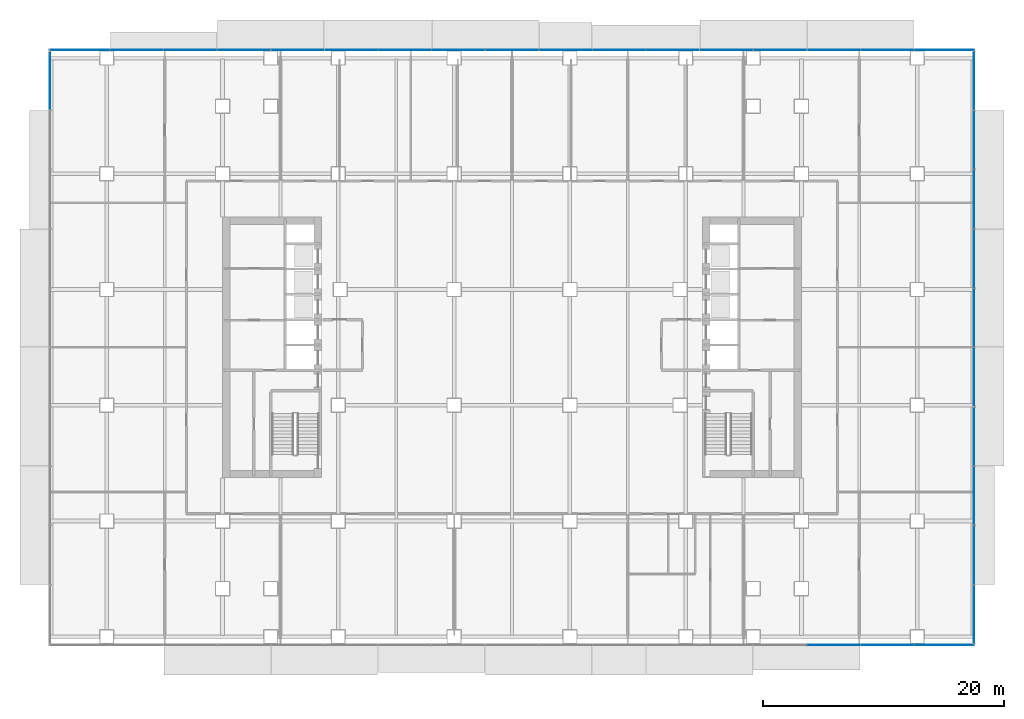
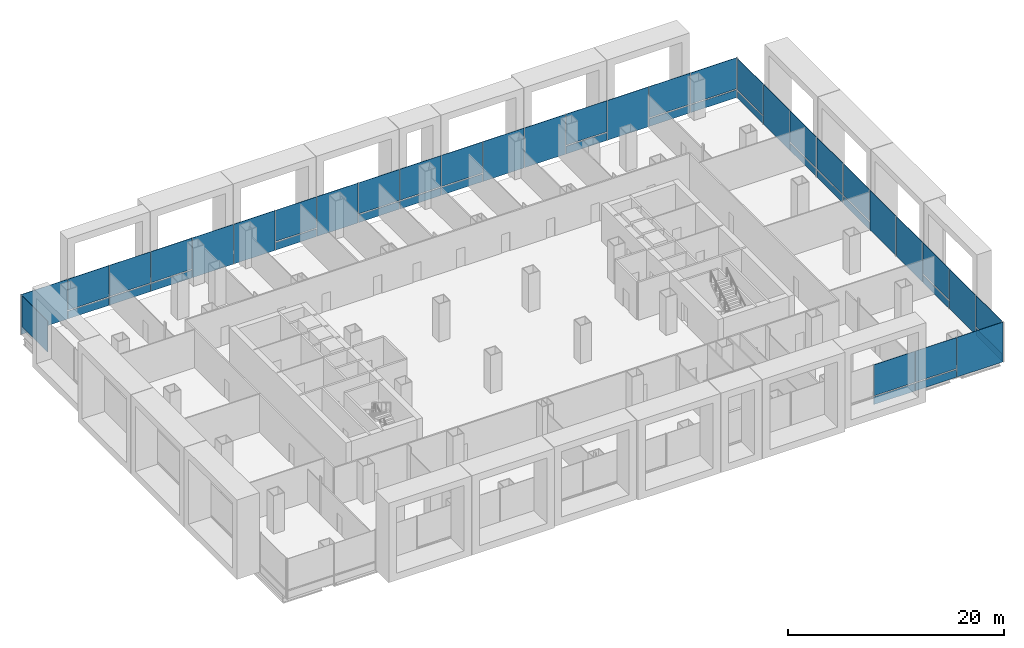
# One storey, part 13 of 23: 49 plates, 4 elements without a shape of their own.
"""IFC4 building model written with IfcOpenShell, lengths in metres."""

from ifc_helpers import new_model, si_unit, direction, frame, origin, origin_2d, place, context, subcontext, project, spatial, rectangle, extrude, material, layer, layer_set, type_object, element, aggregate, save


model = new_model("IFC4")

# Units and contexts
model_context = context("Model", 3, precision=1e-05, world=origin(), true_north=direction((0.0, 1.0)))
body_context = subcontext(model_context, "Body", "Model", "MODEL_VIEW")
ifc_project = project(units=[si_unit("LENGTHUNIT", "METRE"), si_unit("AREAUNIT", "SQUARE_METRE"), si_unit("VOLUMEUNIT", "CUBIC_METRE"), si_unit("PLANEANGLEUNIT", "RADIAN"), si_unit("MASSUNIT", "GRAM", prefix="KILO")], contexts=[model_context])

# Site, building, storey
site_placement = place(None, origin())
site = spatial("IfcSite", under=ifc_project, at=site_placement, CompositionType="ELEMENT")
building_placement = place(site_placement, origin())
building = spatial("IfcBuilding", under=site, at=building_placement, Name="Cobrizo Arcos Hotel Tower", CompositionType="ELEMENT")
storey_placement = place(building_placement, frame((0.0, 0.0, 15.5)))
storey = spatial("IfcBuildingStorey", under=building, at=storey_placement, Name="L02", CompositionType="ELEMENT", Elevation=15.5)

# Curtain wall, plates
ifc_material_1 = material(Name="Aluminium 6063-T6 anodised bronze", Category="aluminium")
curtain_wall_type_1 = type_object("IfcCurtainWallType", Name="CW-A guest facade", PredefinedType="NOTDEFINED", material=ifc_material_1)
curtain_wall_1_placement = place(storey_placement, origin())
curtain_wall_1 = element("IfcCurtainWall", 1, at=curtain_wall_1_placement, inside=storey, type_object=curtain_wall_type_1, Name="CW-A L02 N face", PredefinedType="NOTDEFINED")
ifc_material_2 = material(Name="Glass clear laminated low-e", Category="glass")
ifc_layer_1 = layer(ifc_material_2, 0.0400390625)
ifc_layer_set_1 = layer_set([ifc_layer_1], Name="CW-A glass panel")
plate_type_1 = type_object("IfcPlateType", Name="CW-A glass panel", PredefinedType="CURTAIN_PANEL", material=ifc_layer_set_1)
plate_1_placement = place(storey_placement, frame((35.839111328125, 24.675048828125, 0.990234375), z_axis=(0.0, 0.0, 1.0), x_axis=(-1.0, 0.0, 0.0)))
plate_1 = element("IfcPlate", 2, at=plate_1_placement, type_object=plate_type_1, Name="CW-A glass panel 117", PredefinedType="CURTAIN_PANEL", context=body_context, shape_type="SweptSolid", body=[
    extrude(rectangle(XDim=4.95166015625, YDim=0.0400390625, at=origin_2d()), origin(), (0.0, 0.0, 1.0), 3.510009765625),
])
plate_2_placement = place(storey_placement, frame((31.111083984375, 24.675048828125, 0.990234375), z_axis=(0.0, 0.0, 1.0), x_axis=(-1.0, 0.0, 0.0)))
plate_2 = element("IfcPlate", 3, at=plate_2_placement, type_object=plate_type_1, Name="CW-A glass panel 118", PredefinedType="CURTAIN_PANEL", context=body_context, shape_type="SweptSolid", body=[
    extrude(rectangle(XDim=4.384521484375, YDim=0.0400390625, at=origin_2d()), origin(), (0.0, 0.0, 1.0), 3.510009765625),
])
plate_3_placement = place(storey_placement, frame((22.22216796875, 24.675048828125, 0.990234375), z_axis=(0.0, 0.0, 1.0), x_axis=(-1.0, 0.0, 0.0)))
plate_3 = element("IfcPlate", 4, at=plate_3_placement, type_object=plate_type_1, Name="CW-A glass panel 120", PredefinedType="CURTAIN_PANEL", context=body_context, shape_type="SweptSolid", body=[
    extrude(rectangle(XDim=4.384521484375, YDim=0.0400390625, at=origin_2d()), origin(), (0.0, 0.0, 1.0), 3.510009765625),
])
plate_4_placement = place(storey_placement, frame((8.888916015625, 24.675048828125, 0.990234375), z_axis=(0.0, 0.0, 1.0), x_axis=(-1.0, 0.0, 0.0)))
plate_4 = element("IfcPlate", 5, at=plate_4_placement, type_object=plate_type_1, Name="CW-A glass panel 123", PredefinedType="CURTAIN_PANEL", context=body_context, shape_type="SweptSolid", body=[
    extrude(rectangle(XDim=4.384521484375, YDim=0.0400390625, at=origin_2d()), origin(), (0.0, 0.0, 1.0), 3.510009765625),
])
plate_5_placement = place(storey_placement, frame((4.4443359375, 24.675048828125, 0.990234375), z_axis=(0.0, 0.0, 1.0), x_axis=(-1.0, 0.0, 0.0)))
plate_5 = element("IfcPlate", 6, at=plate_5_placement, type_object=plate_type_1, Name="CW-A glass panel 124", PredefinedType="CURTAIN_PANEL", context=body_context, shape_type="SweptSolid", body=[
    extrude(rectangle(XDim=4.384521484375, YDim=0.0400390625, at=origin_2d()), origin(), (0.0, 0.0, 1.0), 3.510009765625),
])
plate_6_placement = place(storey_placement, frame((0.0, 24.675048828125, 0.990234375), z_axis=(0.0, 0.0, 1.0), x_axis=(-1.0, 0.0, 0.0)))
plate_6 = element("IfcPlate", 7, at=plate_6_placement, type_object=plate_type_1, Name="CW-A glass panel 125", PredefinedType="CURTAIN_PANEL", context=body_context, shape_type="SweptSolid", body=[
    extrude(rectangle(XDim=4.384521484375, YDim=0.0400390625, at=origin_2d()), origin(), (0.0, 0.0, 1.0), 3.510009765625),
])
plate_7_placement = place(storey_placement, frame((-8.888916015625, 24.675048828125, 0.990234375), z_axis=(0.0, 0.0, 1.0), x_axis=(-1.0, 0.0, 0.0)))
plate_7 = element("IfcPlate", 8, at=plate_7_placement, type_object=plate_type_1, Name="CW-A glass panel 127", PredefinedType="CURTAIN_PANEL", context=body_context, shape_type="SweptSolid", body=[
    extrude(rectangle(XDim=4.384521484375, YDim=0.0400390625, at=origin_2d()), origin(), (0.0, 0.0, 1.0), 3.510009765625),
])
plate_8_placement = place(storey_placement, frame((-22.22216796875, 24.675048828125, 0.990234375), z_axis=(0.0, 0.0, 1.0), x_axis=(-1.0, 0.0, 0.0)))
plate_8 = element("IfcPlate", 9, at=plate_8_placement, type_object=plate_type_1, Name="CW-A glass panel 130", PredefinedType="CURTAIN_PANEL", context=body_context, shape_type="SweptSolid", body=[
    extrude(rectangle(XDim=4.384521484375, YDim=0.0400390625, at=origin_2d()), origin(), (0.0, 0.0, 1.0), 3.510009765625),
])
plate_9_placement = place(storey_placement, frame((-26.666748046875, 24.675048828125, 0.990234375), z_axis=(0.0, 0.0, 1.0), x_axis=(-1.0, 0.0, 0.0)))
plate_9 = element("IfcPlate", 10, at=plate_9_placement, type_object=plate_type_1, Name="CW-A glass panel 131", PredefinedType="CURTAIN_PANEL", context=body_context, shape_type="SweptSolid", body=[
    extrude(rectangle(XDim=4.384521484375, YDim=0.0400390625, at=origin_2d()), origin(), (0.0, 0.0, 1.0), 3.510009765625),
])
plate_10_placement = place(storey_placement, frame((-31.111083984375, 24.675048828125, 0.990234375), z_axis=(0.0, 0.0, 1.0), x_axis=(-1.0, 0.0, 0.0)))
plate_10 = element("IfcPlate", 11, at=plate_10_placement, type_object=plate_type_1, Name="CW-A glass panel 132", PredefinedType="CURTAIN_PANEL", context=body_context, shape_type="SweptSolid", body=[
    extrude(rectangle(XDim=4.384521484375, YDim=0.0400390625, at=origin_2d()), origin(), (0.0, 0.0, 1.0), 3.510009765625),
])

curtain_wall_2_placement = place(storey_placement, origin())
curtain_wall_2 = element("IfcCurtainWall", 12, at=curtain_wall_2_placement, inside=storey, type_object=curtain_wall_type_1, Name="CW-A L02 S face", PredefinedType="NOTDEFINED")
plate_11_placement = place(storey_placement, frame((26.666748046875, -24.675048828125, 0.990234375), z_axis=(0.0, 0.0, 1.0), x_axis=(1.0, 0.0, 0.0)))
plate_11 = element("IfcPlate", 13, at=plate_11_placement, type_object=plate_type_1, Name="CW-A glass panel 158", PredefinedType="CURTAIN_PANEL", context=body_context, shape_type="SweptSolid", body=[
    extrude(rectangle(XDim=4.384521484375, YDim=0.0400390625, at=origin_2d()), origin(), (0.0, 0.0, 1.0), 3.510009765625),
])
plate_12_placement = place(storey_placement, frame((31.111083984375, -24.675048828125, 0.990234375), z_axis=(0.0, 0.0, 1.0), x_axis=(1.0, 0.0, 0.0)))
plate_12 = element("IfcPlate", 14, at=plate_12_placement, type_object=plate_type_1, Name="CW-A glass panel 159", PredefinedType="CURTAIN_PANEL", context=body_context, shape_type="SweptSolid", body=[
    extrude(rectangle(XDim=4.384521484375, YDim=0.0400390625, at=origin_2d()), origin(), (0.0, 0.0, 1.0), 3.510009765625),
])

# Plate
ifc_material_3 = material(Name="Aluminium composite panel pale metal", Category="aluminium")
ifc_layer_2 = layer(ifc_material_3, 0.0400390625)
ifc_layer_set_2 = layer_set([ifc_layer_2], Name="CW-A spandrel panel")
plate_type_2 = type_object("IfcPlateType", Name="CW-A spandrel panel", PredefinedType="CURTAIN_PANEL", material=ifc_layer_set_2)
plate_13_placement = place(storey_placement, frame((35.839111328125, 24.675048828125, 0.0), z_axis=(0.0, 0.0, 1.0), x_axis=(-1.0, 0.0, 0.0)))
plate_13 = element("IfcPlate", 15, at=plate_13_placement, type_object=plate_type_2, Name="CW-A spandrel panel 117", PredefinedType="CURTAIN_PANEL", context=body_context, shape_type="SweptSolid", body=[
    extrude(rectangle(XDim=4.95166015625, YDim=0.0400390625, at=origin_2d()), origin(), (0.0, 0.0, 1.0), 0.8701171875),
])

plate_14_placement = place(storey_placement, frame((31.111083984375, 24.675048828125, 0.0), z_axis=(0.0, 0.0, 1.0), x_axis=(-1.0, 0.0, 0.0)))
plate_14 = element("IfcPlate", 16, at=plate_14_placement, type_object=plate_type_2, Name="CW-A spandrel panel 118", PredefinedType="CURTAIN_PANEL", context=body_context, shape_type="SweptSolid", body=[
    extrude(rectangle(XDim=4.384521484375, YDim=0.0400390625, at=origin_2d()), origin(), (0.0, 0.0, 1.0), 0.8701171875),
])

plate_15_placement = place(storey_placement, frame((26.666748046875, 24.675048828125, 0.0), z_axis=(0.0, 0.0, 1.0), x_axis=(-1.0, 0.0, 0.0)))
plate_15 = element("IfcPlate", 17, at=plate_15_placement, type_object=plate_type_2, Name="CW-A spandrel panel 119", PredefinedType="CURTAIN_PANEL", context=body_context, shape_type="SweptSolid", body=[
    extrude(rectangle(XDim=4.384521484375, YDim=0.0400390625, at=origin_2d()), origin(), (0.0, 0.0, 1.0), 4.5),
])

plate_16_placement = place(storey_placement, frame((22.22216796875, 24.675048828125, 0.0), z_axis=(0.0, 0.0, 1.0), x_axis=(-1.0, 0.0, 0.0)))
plate_16 = element("IfcPlate", 18, at=plate_16_placement, type_object=plate_type_2, Name="CW-A spandrel panel 120", PredefinedType="CURTAIN_PANEL", context=body_context, shape_type="SweptSolid", body=[
    extrude(rectangle(XDim=4.384521484375, YDim=0.0400390625, at=origin_2d()), origin(), (0.0, 0.0, 1.0), 0.8701171875),
])

plate_17_placement = place(storey_placement, frame((17.77783203125, 24.675048828125, 0.0), z_axis=(0.0, 0.0, 1.0), x_axis=(-1.0, 0.0, 0.0)))
plate_17 = element("IfcPlate", 19, at=plate_17_placement, type_object=plate_type_2, Name="CW-A spandrel panel 121", PredefinedType="CURTAIN_PANEL", context=body_context, shape_type="SweptSolid", body=[
    extrude(rectangle(XDim=4.384521484375, YDim=0.0400390625, at=origin_2d()), origin(), (0.0, 0.0, 1.0), 4.5),
])

plate_18_placement = place(storey_placement, frame((13.333251953125, 24.675048828125, 0.0), z_axis=(0.0, 0.0, 1.0), x_axis=(-1.0, 0.0, 0.0)))
plate_18 = element("IfcPlate", 20, at=plate_18_placement, type_object=plate_type_2, Name="CW-A spandrel panel 122", PredefinedType="CURTAIN_PANEL", context=body_context, shape_type="SweptSolid", body=[
    extrude(rectangle(XDim=4.384521484375, YDim=0.0400390625, at=origin_2d()), origin(), (0.0, 0.0, 1.0), 4.5),
])

plate_19_placement = place(storey_placement, frame((8.888916015625, 24.675048828125, 0.0), z_axis=(0.0, 0.0, 1.0), x_axis=(-1.0, 0.0, 0.0)))
plate_19 = element("IfcPlate", 21, at=plate_19_placement, type_object=plate_type_2, Name="CW-A spandrel panel 123", PredefinedType="CURTAIN_PANEL", context=body_context, shape_type="SweptSolid", body=[
    extrude(rectangle(XDim=4.384521484375, YDim=0.0400390625, at=origin_2d()), origin(), (0.0, 0.0, 1.0), 0.8701171875),
])

plate_20_placement = place(storey_placement, frame((4.4443359375, 24.675048828125, 0.0), z_axis=(0.0, 0.0, 1.0), x_axis=(-1.0, 0.0, 0.0)))
plate_20 = element("IfcPlate", 22, at=plate_20_placement, type_object=plate_type_2, Name="CW-A spandrel panel 124", PredefinedType="CURTAIN_PANEL", context=body_context, shape_type="SweptSolid", body=[
    extrude(rectangle(XDim=4.384521484375, YDim=0.0400390625, at=origin_2d()), origin(), (0.0, 0.0, 1.0), 0.8701171875),
])

plate_21_placement = place(storey_placement, frame((0.0, 24.675048828125, 0.0), z_axis=(0.0, 0.0, 1.0), x_axis=(-1.0, 0.0, 0.0)))
plate_21 = element("IfcPlate", 23, at=plate_21_placement, type_object=plate_type_2, Name="CW-A spandrel panel 125", PredefinedType="CURTAIN_PANEL", context=body_context, shape_type="SweptSolid", body=[
    extrude(rectangle(XDim=4.384521484375, YDim=0.0400390625, at=origin_2d()), origin(), (0.0, 0.0, 1.0), 0.8701171875),
])

plate_22_placement = place(storey_placement, frame((-4.4443359375, 24.675048828125, 0.0), z_axis=(0.0, 0.0, 1.0), x_axis=(-1.0, 0.0, 0.0)))
plate_22 = element("IfcPlate", 24, at=plate_22_placement, type_object=plate_type_2, Name="CW-A spandrel panel 126", PredefinedType="CURTAIN_PANEL", context=body_context, shape_type="SweptSolid", body=[
    extrude(rectangle(XDim=4.384521484375, YDim=0.0400390625, at=origin_2d()), origin(), (0.0, 0.0, 1.0), 4.5),
])

plate_23_placement = place(storey_placement, frame((-8.888916015625, 24.675048828125, 0.0), z_axis=(0.0, 0.0, 1.0), x_axis=(-1.0, 0.0, 0.0)))
plate_23 = element("IfcPlate", 25, at=plate_23_placement, type_object=plate_type_2, Name="CW-A spandrel panel 127", PredefinedType="CURTAIN_PANEL", context=body_context, shape_type="SweptSolid", body=[
    extrude(rectangle(XDim=4.384521484375, YDim=0.0400390625, at=origin_2d()), origin(), (0.0, 0.0, 1.0), 0.8701171875),
])

plate_24_placement = place(storey_placement, frame((-13.333251953125, 24.675048828125, 0.0), z_axis=(0.0, 0.0, 1.0), x_axis=(-1.0, 0.0, 0.0)))
plate_24 = element("IfcPlate", 26, at=plate_24_placement, type_object=plate_type_2, Name="CW-A spandrel panel 128", PredefinedType="CURTAIN_PANEL", context=body_context, shape_type="SweptSolid", body=[
    extrude(rectangle(XDim=4.384521484375, YDim=0.0400390625, at=origin_2d()), origin(), (0.0, 0.0, 1.0), 4.5),
])

plate_25_placement = place(storey_placement, frame((-17.77783203125, 24.675048828125, 0.0), z_axis=(0.0, 0.0, 1.0), x_axis=(-1.0, 0.0, 0.0)))
plate_25 = element("IfcPlate", 27, at=plate_25_placement, type_object=plate_type_2, Name="CW-A spandrel panel 129", PredefinedType="CURTAIN_PANEL", context=body_context, shape_type="SweptSolid", body=[
    extrude(rectangle(XDim=4.384521484375, YDim=0.0400390625, at=origin_2d()), origin(), (0.0, 0.0, 1.0), 4.5),
])

plate_26_placement = place(storey_placement, frame((-22.22216796875, 24.675048828125, 0.0), z_axis=(0.0, 0.0, 1.0), x_axis=(-1.0, 0.0, 0.0)))
plate_26 = element("IfcPlate", 28, at=plate_26_placement, type_object=plate_type_2, Name="CW-A spandrel panel 130", PredefinedType="CURTAIN_PANEL", context=body_context, shape_type="SweptSolid", body=[
    extrude(rectangle(XDim=4.384521484375, YDim=0.0400390625, at=origin_2d()), origin(), (0.0, 0.0, 1.0), 0.8701171875),
])

plate_27_placement = place(storey_placement, frame((-26.666748046875, 24.675048828125, 0.0), z_axis=(0.0, 0.0, 1.0), x_axis=(-1.0, 0.0, 0.0)))
plate_27 = element("IfcPlate", 29, at=plate_27_placement, type_object=plate_type_2, Name="CW-A spandrel panel 131", PredefinedType="CURTAIN_PANEL", context=body_context, shape_type="SweptSolid", body=[
    extrude(rectangle(XDim=4.384521484375, YDim=0.0400390625, at=origin_2d()), origin(), (0.0, 0.0, 1.0), 0.8701171875),
])

plate_28_placement = place(storey_placement, frame((-31.111083984375, 24.675048828125, 0.0), z_axis=(0.0, 0.0, 1.0), x_axis=(-1.0, 0.0, 0.0)))
plate_28 = element("IfcPlate", 30, at=plate_28_placement, type_object=plate_type_2, Name="CW-A spandrel panel 132", PredefinedType="CURTAIN_PANEL", context=body_context, shape_type="SweptSolid", body=[
    extrude(rectangle(XDim=4.384521484375, YDim=0.0400390625, at=origin_2d()), origin(), (0.0, 0.0, 1.0), 0.8701171875),
])

plate_29_placement = place(storey_placement, frame((-35.839111328125, 24.675048828125, 0.0), z_axis=(0.0, 0.0, 1.0), x_axis=(-1.0, 0.0, 0.0)))
plate_29 = element("IfcPlate", 31, at=plate_29_placement, type_object=plate_type_2, Name="CW-A spandrel panel 133", PredefinedType="CURTAIN_PANEL", context=body_context, shape_type="SweptSolid", body=[
    extrude(rectangle(XDim=4.95166015625, YDim=0.0400390625, at=origin_2d()), origin(), (0.0, 0.0, 1.0), 4.5),
])

aggregate(curtain_wall_1, [plate_13, plate_1, plate_14, plate_2, plate_15, plate_16, plate_3, plate_17, plate_18, plate_19, plate_4, plate_20, plate_5, plate_21, plate_6, plate_22, plate_23, plate_7, plate_24, plate_25, plate_26, plate_8, plate_27, plate_9, plate_28, plate_10, plate_29])

plate_30_placement = place(storey_placement, frame((26.666748046875, -24.675048828125, 0.0), z_axis=(0.0, 0.0, 1.0), x_axis=(1.0, 0.0, 0.0)))
plate_30 = element("IfcPlate", 32, at=plate_30_placement, type_object=plate_type_2, Name="CW-A spandrel panel 158", PredefinedType="CURTAIN_PANEL", context=body_context, shape_type="SweptSolid", body=[
    extrude(rectangle(XDim=4.384521484375, YDim=0.0400390625, at=origin_2d()), origin(), (0.0, 0.0, 1.0), 0.8701171875),
])

plate_31_placement = place(storey_placement, frame((31.111083984375, -24.675048828125, 0.0), z_axis=(0.0, 0.0, 1.0), x_axis=(1.0, 0.0, 0.0)))
plate_31 = element("IfcPlate", 33, at=plate_31_placement, type_object=plate_type_2, Name="CW-A spandrel panel 159", PredefinedType="CURTAIN_PANEL", context=body_context, shape_type="SweptSolid", body=[
    extrude(rectangle(XDim=4.384521484375, YDim=0.0400390625, at=origin_2d()), origin(), (0.0, 0.0, 1.0), 0.8701171875),
])

plate_32_placement = place(storey_placement, frame((35.839111328125, -24.675048828125, 0.0), z_axis=(0.0, 0.0, 1.0), x_axis=(1.0, 0.0, 0.0)))
plate_32 = element("IfcPlate", 34, at=plate_32_placement, type_object=plate_type_2, Name="CW-A spandrel panel 160", PredefinedType="CURTAIN_PANEL", context=body_context, shape_type="SweptSolid", body=[
    extrude(rectangle(XDim=4.95166015625, YDim=0.0400390625, at=origin_2d()), origin(), (0.0, 0.0, 1.0), 4.5),
])

aggregate(curtain_wall_2, [plate_30, plate_11, plate_31, plate_12, plate_32])

# Curtain wall, plates
curtain_wall_type_2 = type_object("IfcCurtainWallType", Name="CW-B podium glazing", PredefinedType="NOTDEFINED", material=ifc_material_1)
curtain_wall_3_placement = place(storey_placement, origin())
curtain_wall_3 = element("IfcCurtainWall", 35, at=curtain_wall_3_placement, inside=storey, type_object=curtain_wall_type_2, Name="CW-B L02 E face", PredefinedType="NOTDEFINED")
ifc_layer_3 = layer(ifc_material_2, 0.0400390625)
ifc_layer_set_3 = layer_set([ifc_layer_3], Name="CW-B glass panel")
plate_type_3 = type_object("IfcPlateType", Name="CW-B glass panel", PredefinedType="CURTAIN_PANEL", material=ifc_layer_set_3)
plate_33_placement = place(storey_placement, frame((38.300048828125, -22.1201171875, 0.97998046875), z_axis=(0.0, 0.0, 1.0), x_axis=(0.0, 1.0, 0.0)))
plate_33 = element("IfcPlate", 36, at=plate_33_placement, type_object=plate_type_3, Name="CW-B glass panel 107", PredefinedType="CURTAIN_PANEL", context=body_context, shape_type="SweptSolid", body=[
    extrude(rectangle(XDim=4.800048828125, YDim=0.0400390625, at=origin_2d()), origin(), (0.0, 0.0, 1.0), 3.52001953125),
])
plate_34_placement = place(storey_placement, frame((38.300048828125, -12.300048828125, 0.97998046875), z_axis=(0.0, 0.0, 1.0), x_axis=(0.0, 1.0, 0.0)))
plate_34 = element("IfcPlate", 37, at=plate_34_placement, type_object=plate_type_3, Name="CW-B glass panel 109", PredefinedType="CURTAIN_PANEL", context=body_context, shape_type="SweptSolid", body=[
    extrude(rectangle(XDim=4.840087890625, YDim=0.0400390625, at=origin_2d()), origin(), (0.0, 0.0, 1.0), 3.52001953125),
])
plate_35_placement = place(storey_placement, frame((38.300048828125, 2.4599609375, 0.97998046875), z_axis=(0.0, 0.0, 1.0), x_axis=(0.0, 1.0, 0.0)))
plate_35 = element("IfcPlate", 38, at=plate_35_placement, type_object=plate_type_3, Name="CW-B glass panel 112", PredefinedType="CURTAIN_PANEL", context=body_context, shape_type="SweptSolid", body=[
    extrude(rectangle(XDim=4.840087890625, YDim=0.0400390625, at=origin_2d()), origin(), (0.0, 0.0, 1.0), 3.52001953125),
])
plate_36_placement = place(storey_placement, frame((38.300048828125, 7.3798828125, 0.97998046875), z_axis=(0.0, 0.0, 1.0), x_axis=(0.0, 1.0, 0.0)))
plate_36 = element("IfcPlate", 39, at=plate_36_placement, type_object=plate_type_3, Name="CW-B glass panel 113", PredefinedType="CURTAIN_PANEL", context=body_context, shape_type="SweptSolid", body=[
    extrude(rectangle(XDim=4.840087890625, YDim=0.0400390625, at=origin_2d()), origin(), (0.0, 0.0, 1.0), 3.52001953125),
])
plate_37_placement = place(storey_placement, frame((38.300048828125, 12.300048828125, 0.97998046875), z_axis=(0.0, 0.0, 1.0), x_axis=(0.0, 1.0, 0.0)))
plate_37 = element("IfcPlate", 40, at=plate_37_placement, type_object=plate_type_3, Name="CW-B glass panel 114", PredefinedType="CURTAIN_PANEL", context=body_context, shape_type="SweptSolid", body=[
    extrude(rectangle(XDim=4.840087890625, YDim=0.0400390625, at=origin_2d()), origin(), (0.0, 0.0, 1.0), 3.52001953125),
])
plate_38_placement = place(storey_placement, frame((38.300048828125, 22.1201171875, 0.97998046875), z_axis=(0.0, 0.0, 1.0), x_axis=(0.0, 1.0, 0.0)))
plate_38 = element("IfcPlate", 41, at=plate_38_placement, type_object=plate_type_3, Name="CW-B glass panel 116", PredefinedType="CURTAIN_PANEL", context=body_context, shape_type="SweptSolid", body=[
    extrude(rectangle(XDim=4.800048828125, YDim=0.0400390625, at=origin_2d()), origin(), (0.0, 0.0, 1.0), 3.52001953125),
])

# Curtain wall, plate
curtain_wall_4_placement = place(storey_placement, origin())
curtain_wall_4 = element("IfcCurtainWall", 42, at=curtain_wall_4_placement, inside=storey, type_object=curtain_wall_type_2, Name="CW-B L02 W face", PredefinedType="NOTDEFINED")
plate_39_placement = place(storey_placement, frame((-38.300048828125, 22.1201171875, 0.97998046875), z_axis=(0.0, 0.0, 1.0), x_axis=(0.0, -1.0, 0.0)))
plate_39 = element("IfcPlate", 43, at=plate_39_placement, type_object=plate_type_3, Name="CW-B glass panel 134", PredefinedType="CURTAIN_PANEL", context=body_context, shape_type="SweptSolid", body=[
    extrude(rectangle(XDim=4.800048828125, YDim=0.0400390625, at=origin_2d()), origin(), (0.0, 0.0, 1.0), 3.52001953125),
])
aggregate(curtain_wall_4, [plate_39])

# Plate
ifc_layer_4 = layer(ifc_material_3, 0.06005859375)
ifc_layer_set_4 = layer_set([ifc_layer_4], Name="CW-B spandrel panel")
plate_type_4 = type_object("IfcPlateType", Name="CW-B spandrel panel", PredefinedType="CURTAIN_PANEL", material=ifc_layer_set_4)
plate_40_placement = place(storey_placement, frame((38.300048828125, -22.1201171875, 0.0), z_axis=(0.0, 0.0, 1.0), x_axis=(0.0, 1.0, 0.0)))
plate_40 = element("IfcPlate", 44, at=plate_40_placement, type_object=plate_type_4, Name="CW-B spandrel panel 107", PredefinedType="CURTAIN_PANEL", context=body_context, shape_type="SweptSolid", body=[
    extrude(rectangle(XDim=4.800048828125, YDim=0.0400390625, at=origin_2d()), origin(), (0.0, 0.0, 1.0), 0.820068359375),
])

plate_41_placement = place(storey_placement, frame((38.300048828125, -17.219970703125, 0.0), z_axis=(0.0, 0.0, 1.0), x_axis=(0.0, 1.0, 0.0)))
plate_41 = element("IfcPlate", 45, at=plate_41_placement, type_object=plate_type_4, Name="CW-B spandrel panel 108", PredefinedType="CURTAIN_PANEL", context=body_context, shape_type="SweptSolid", body=[
    extrude(rectangle(XDim=4.840087890625, YDim=0.0400390625, at=origin_2d()), origin(), (0.0, 0.0, 1.0), 4.5),
])

plate_42_placement = place(storey_placement, frame((38.300048828125, -12.300048828125, 0.0), z_axis=(0.0, 0.0, 1.0), x_axis=(0.0, 1.0, 0.0)))
plate_42 = element("IfcPlate", 46, at=plate_42_placement, type_object=plate_type_4, Name="CW-B spandrel panel 109", PredefinedType="CURTAIN_PANEL", context=body_context, shape_type="SweptSolid", body=[
    extrude(rectangle(XDim=4.840087890625, YDim=0.0400390625, at=origin_2d()), origin(), (0.0, 0.0, 1.0), 0.820068359375),
])

plate_43_placement = place(storey_placement, frame((38.300048828125, -7.3798828125, 0.0), z_axis=(0.0, 0.0, 1.0), x_axis=(0.0, 1.0, 0.0)))
plate_43 = element("IfcPlate", 47, at=plate_43_placement, type_object=plate_type_4, Name="CW-B spandrel panel 110", PredefinedType="CURTAIN_PANEL", context=body_context, shape_type="SweptSolid", body=[
    extrude(rectangle(XDim=4.840087890625, YDim=0.0400390625, at=origin_2d()), origin(), (0.0, 0.0, 1.0), 4.5),
])

plate_44_placement = place(storey_placement, frame((38.300048828125, -2.4599609375, 0.0), z_axis=(0.0, 0.0, 1.0), x_axis=(0.0, 1.0, 0.0)))
plate_44 = element("IfcPlate", 48, at=plate_44_placement, type_object=plate_type_4, Name="CW-B spandrel panel 111", PredefinedType="CURTAIN_PANEL", context=body_context, shape_type="SweptSolid", body=[
    extrude(rectangle(XDim=4.840087890625, YDim=0.0400390625, at=origin_2d()), origin(), (0.0, 0.0, 1.0), 4.5),
])

plate_45_placement = place(storey_placement, frame((38.300048828125, 2.4599609375, 0.0), z_axis=(0.0, 0.0, 1.0), x_axis=(0.0, 1.0, 0.0)))
plate_45 = element("IfcPlate", 49, at=plate_45_placement, type_object=plate_type_4, Name="CW-B spandrel panel 112", PredefinedType="CURTAIN_PANEL", context=body_context, shape_type="SweptSolid", body=[
    extrude(rectangle(XDim=4.840087890625, YDim=0.0400390625, at=origin_2d()), origin(), (0.0, 0.0, 1.0), 0.820068359375),
])

plate_46_placement = place(storey_placement, frame((38.300048828125, 7.3798828125, 0.0), z_axis=(0.0, 0.0, 1.0), x_axis=(0.0, 1.0, 0.0)))
plate_46 = element("IfcPlate", 50, at=plate_46_placement, type_object=plate_type_4, Name="CW-B spandrel panel 113", PredefinedType="CURTAIN_PANEL", context=body_context, shape_type="SweptSolid", body=[
    extrude(rectangle(XDim=4.840087890625, YDim=0.0400390625, at=origin_2d()), origin(), (0.0, 0.0, 1.0), 0.820068359375),
])

plate_47_placement = place(storey_placement, frame((38.300048828125, 12.300048828125, 0.0), z_axis=(0.0, 0.0, 1.0), x_axis=(0.0, 1.0, 0.0)))
plate_47 = element("IfcPlate", 51, at=plate_47_placement, type_object=plate_type_4, Name="CW-B spandrel panel 114", PredefinedType="CURTAIN_PANEL", context=body_context, shape_type="SweptSolid", body=[
    extrude(rectangle(XDim=4.840087890625, YDim=0.0400390625, at=origin_2d()), origin(), (0.0, 0.0, 1.0), 0.820068359375),
])

plate_48_placement = place(storey_placement, frame((38.300048828125, 17.219970703125, 0.0), z_axis=(0.0, 0.0, 1.0), x_axis=(0.0, 1.0, 0.0)))
plate_48 = element("IfcPlate", 52, at=plate_48_placement, type_object=plate_type_4, Name="CW-B spandrel panel 115", PredefinedType="CURTAIN_PANEL", context=body_context, shape_type="SweptSolid", body=[
    extrude(rectangle(XDim=4.840087890625, YDim=0.0400390625, at=origin_2d()), origin(), (0.0, 0.0, 1.0), 4.5),
])

plate_49_placement = place(storey_placement, frame((38.300048828125, 22.1201171875, 0.0), z_axis=(0.0, 0.0, 1.0), x_axis=(0.0, 1.0, 0.0)))
plate_49 = element("IfcPlate", 53, at=plate_49_placement, type_object=plate_type_4, Name="CW-B spandrel panel 116", PredefinedType="CURTAIN_PANEL", context=body_context, shape_type="SweptSolid", body=[
    extrude(rectangle(XDim=4.800048828125, YDim=0.0400390625, at=origin_2d()), origin(), (0.0, 0.0, 1.0), 0.820068359375),
])

aggregate(curtain_wall_3, [plate_40, plate_33, plate_41, plate_42, plate_34, plate_43, plate_44, plate_45, plate_35, plate_46, plate_36, plate_47, plate_37, plate_48, plate_49, plate_38])

save(model, "model.ifc")
